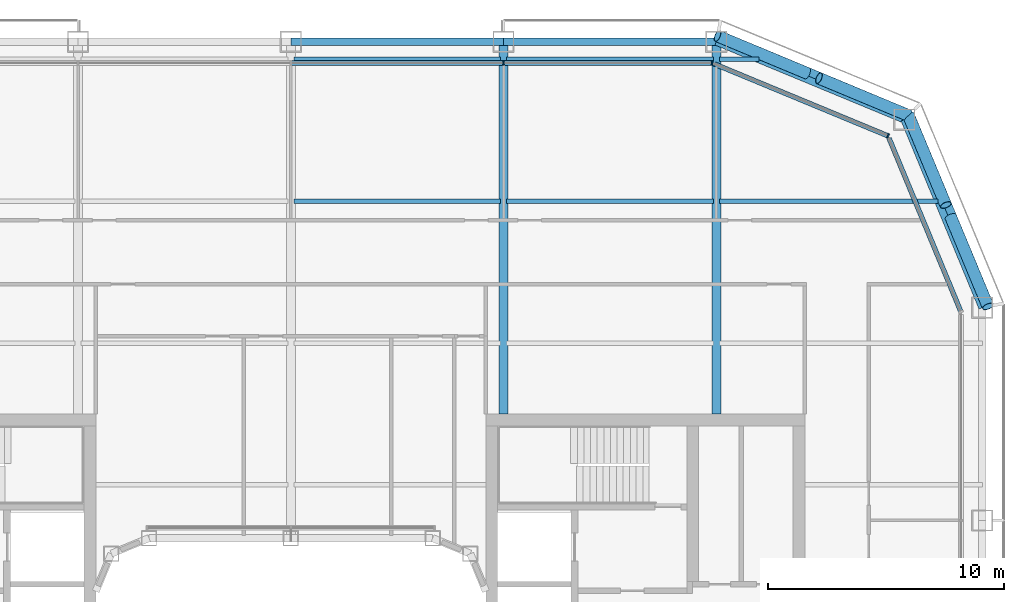
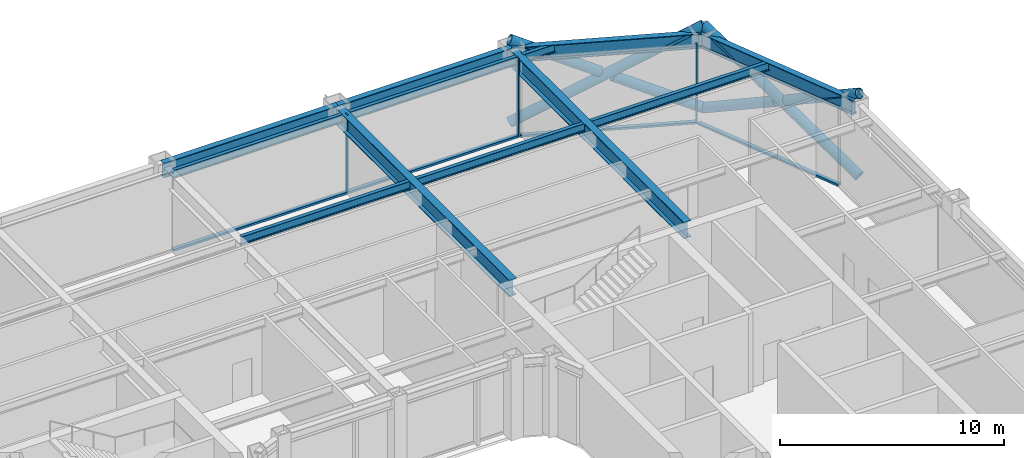
# One storey, part 9 of 21: 13 members, 12 beams, 3 elements without a shape of their own.
"""IFC4 building model written with IfcOpenShell, lengths in metres."""

from ifc_helpers import new_model, si_unit, direction, frame, origin, origin_2d, place, context, subcontext, project, spatial, rectangle, hollow_circle, i_section, extrude, material, layer, layer_set, material_profile, profile_set, type_object, element, aggregate, save


model = new_model("IFC4")

# Units and contexts
model_context = context("Model", 3, precision=1e-05, world=origin(), true_north=direction((0.0, 1.0)))
body_context = subcontext(model_context, "Body", "Model", "MODEL_VIEW")
ifc_project = project(units=[si_unit("LENGTHUNIT", "METRE"), si_unit("AREAUNIT", "SQUARE_METRE"), si_unit("VOLUMEUNIT", "CUBIC_METRE"), si_unit("PLANEANGLEUNIT", "RADIAN"), si_unit("MASSUNIT", "GRAM", prefix="KILO")], contexts=[model_context])

# Site, building, storey
site_placement = place(None, origin())
site = spatial("IfcSite", under=ifc_project, at=site_placement, CompositionType="ELEMENT")
building_placement = place(site_placement, origin())
building = spatial("IfcBuilding", under=site, at=building_placement, Name="Siwar Civic Tower", CompositionType="ELEMENT")
storey_placement = place(building_placement, frame((0.0, 0.0, 176.699951171875)))
storey = spatial("IfcBuildingStorey", under=building, at=storey_placement, Name="L38", CompositionType="ELEMENT", Elevation=176.699951171875)

# Curtain wall, member
ifc_material_1 = material(Name="Aluminium clad insulated panel", Category="aluminium")
ifc_layer_1 = layer(ifc_material_1, 0.199951171875)
ifc_layer_set_1 = layer_set([ifc_layer_1], Name="Aluminium clad insulated panel")
curtain_wall_type_1 = type_object("IfcCurtainWallType", Name="ENV-CW-BX", PredefinedType="NOTDEFINED", material=ifc_layer_set_1)
curtain_wall_1_placement = place(storey_placement, origin())
curtain_wall_1 = element("IfcCurtainWall", 1, at=curtain_wall_1_placement, inside=storey, type_object=curtain_wall_type_1, Name="Curtain wall B NE2", PredefinedType="NOTDEFINED")
ifc_material_2 = material(Name="Aluminium 6063-T6", Category="aluminium")
ifc_material_profile_1 = material_profile(ifc_material_2, rectangle(XDim=0.199951171875, YDim=0.06494140625, at=origin_2d()), Name="AL 200x65")
ifc_profile_set_1 = profile_set([ifc_material_profile_1], Name="Aluminium 6063-T6")
member_type_1 = type_object("IfcMemberType", Name="ENV-MULLION-B", PredefinedType="MULLION", material=ifc_profile_set_1)
member_1_placement = place(storey_placement, frame((25.26611328125, 25.26611328125, 0.0), z_axis=(0.0, 0.0, 1.0), x_axis=(-0.382683432365, -0.923879532511, 0.0)))
member_1 = element("IfcMember", 2, at=member_1_placement, type_object=member_type_1, Name="Mullion B NE2 1", PredefinedType="MULLION", context=body_context, shape_type="SweptSolid", body=[
    extrude(rectangle(XDim=0.199951171875, YDim=0.06494140625, at=origin_2d()), origin(), (0.0, 0.0, 1.0), 4.300048828125),
])

# Curtain wall, members
ifc_material_3 = material(Name="Aluminium and glass", Category="aluminium")
ifc_layer_2 = layer(ifc_material_3, 0.199951171875)
ifc_layer_set_2 = layer_set([ifc_layer_2], Name="Aluminium and glass")
curtain_wall_type_2 = type_object("IfcCurtainWallType", Name="ENV-CW-B", PredefinedType="NOTDEFINED", material=ifc_layer_set_2)
curtain_wall_2_placement = place(storey_placement, origin())
curtain_wall_2 = element("IfcCurtainWall", 3, at=curtain_wall_2_placement, inside=storey, type_object=curtain_wall_type_2, Name="Curtain wall B N", PredefinedType="NOTDEFINED")
member_2_placement = place(storey_placement, frame((17.821044921875, 28.35009765625, 0.0), z_axis=(0.0, 0.0, 1.0), x_axis=(0.0, -1.0, 0.0)))
member_2 = element("IfcMember", 4, at=member_2_placement, type_object=member_type_1, Name="Mullion B N 1", PredefinedType="MULLION", context=body_context, shape_type="SweptSolid", body=[
    extrude(rectangle(XDim=0.199951171875, YDim=0.06494140625, at=origin_2d()), origin(), (0.0, 0.0, 1.0), 4.300048828125),
])
member_3_placement = place(storey_placement, frame((9.0, 28.35009765625, 0.0), z_axis=(0.0, 0.0, 1.0), x_axis=(0.0, -1.0, 0.0)))
member_3 = element("IfcMember", 5, at=member_3_placement, type_object=member_type_1, Name="Mullion B N 2", PredefinedType="MULLION", context=body_context, shape_type="SweptSolid", body=[
    extrude(rectangle(XDim=0.199951171875, YDim=0.06494140625, at=origin_2d()), origin(), (0.0, 0.0, 1.0), 4.300048828125),
])

# Curtain wall, member
curtain_wall_3_placement = place(storey_placement, origin())
curtain_wall_3 = element("IfcCurtainWall", 6, at=curtain_wall_3_placement, inside=storey, type_object=curtain_wall_type_1, Name="Curtain wall B NE1", PredefinedType="NOTDEFINED")
ifc_material_4 = material(Name="Aluminium 6063-T6", Category="aluminium")
ifc_material_profile_2 = material_profile(ifc_material_4, rectangle(XDim=0.199951171875, YDim=0.110107421875, at=origin_2d()), Name="AL 200x110")
ifc_profile_set_2 = profile_set([ifc_material_profile_2], Name="Aluminium 6063-T6")
member_type_2 = type_object("IfcMemberType", Name="ENV-TRANSOM-B", PredefinedType="USERDEFINED", material=ifc_profile_set_2)
member_4_placement = place(storey_placement, frame((28.337646484375, 17.85107421875, 0.054931640625), z_axis=(-0.382699695651, 0.92387279587, 0.0), x_axis=(-0.92387279587, -0.382699695651, 0.0)))
member_4 = element("IfcMember", 7, at=member_4_placement, type_object=member_type_2, Name="Transom B NE1 1", ObjectType="TRANSOM", PredefinedType="USERDEFINED", context=body_context, shape_type="SweptSolid", body=[
    extrude(rectangle(XDim=0.199951171875, YDim=0.110107421875, at=origin_2d()), origin(), (0.0, 0.0, 1.0), 7.912353515625),
])
aggregate(curtain_wall_3, [member_4])

# Member
member_5_placement = place(storey_placement, frame((25.236083984375, 25.278564453125, 0.054931640625), z_axis=(-0.923883705044, 0.382673358825, 0.0), x_axis=(-0.382673358825, -0.923883705044, 0.0)))
member_5 = element("IfcMember", 8, at=member_5_placement, type_object=member_type_2, Name="Transom B NE2 1", ObjectType="TRANSOM", PredefinedType="USERDEFINED", context=body_context, shape_type="SweptSolid", body=[
    extrude(rectangle(XDim=0.199951171875, YDim=0.110107421875, at=origin_2d()), origin(), (0.0, 0.0, 1.0), 7.912353515625),
])

aggregate(curtain_wall_1, [member_1, member_5])

member_6_placement = place(storey_placement, frame((17.78857421875, 28.35009765625, 0.054931640625), z_axis=(-1.0, 0.0, 0.0), x_axis=(0.0, -1.0, 0.0)))
member_6 = element("IfcMember", 9, at=member_6_placement, type_object=member_type_2, Name="Transom B N 1", ObjectType="TRANSOM", PredefinedType="USERDEFINED", context=body_context, shape_type="SweptSolid", body=[
    extrude(rectangle(XDim=0.199951171875, YDim=0.110107421875, at=origin_2d()), origin(), (0.0, 0.0, 1.0), 8.756103515625),
])

member_7_placement = place(storey_placement, frame((8.967529296875, 28.35009765625, 0.054931640625), z_axis=(-1.0, 0.0, 0.0), x_axis=(0.0, -1.0, 0.0)))
member_7 = element("IfcMember", 10, at=member_7_placement, type_object=member_type_2, Name="Transom B N 2", ObjectType="TRANSOM", PredefinedType="USERDEFINED", context=body_context, shape_type="SweptSolid", body=[
    extrude(rectangle(XDim=0.199951171875, YDim=0.110107421875, at=origin_2d()), origin(), (0.0, 0.0, 1.0), 8.93505859375),
])

aggregate(curtain_wall_2, [member_2, member_3, member_6, member_7])

# Members
ifc_material_5 = material(Name="Steel S355", Category="steel")
ifc_material_profile_3 = material_profile(ifc_material_5, hollow_circle(Radius=0.25390625, WallThickness=0.02490234375, at=origin_2d()), Name="CHS508x25")
ifc_profile_set_3 = profile_set([ifc_material_profile_3], Name="Steel S355")
member_type_3 = type_object("IfcMemberType", Name="STR-BR-CHS508x25", PredefinedType="BRACE", material=ifc_profile_set_3)
member_8_placement = place(storey_placement, frame((18.048828125, 29.4951171875, 0.0), z_axis=(0.821142553604, -0.341671493852, 0.457149315816), x_axis=(0.384163874976, 0.923264922524, 0.0)))
element("IfcMember", 11, at=member_8_placement, inside=storey, type_object=member_type_3, Name="L38/brc/BNE1-17-0-1", PredefinedType="BRACE", context=body_context, shape_type="SweptSolid", body=[
    extrude(hollow_circle(Radius=0.25390625, WallThickness=0.02490234375, at=origin_2d()), origin(), (0.0, 0.0, 1.0), 9.843505859375),
])
member_9_placement = place(storey_placement, frame((26.1318359375, 26.1318359375, 0.0), z_axis=(-0.821143275065, 0.341662474736, 0.457154760636), x_axis=(-0.384154943021, -0.923268638995, 0.0)))
element("IfcMember", 12, at=member_9_placement, inside=storey, type_object=member_type_3, Name="L38/brc/BNE1-17-0-2", PredefinedType="BRACE", context=body_context, shape_type="SweptSolid", body=[
    extrude(hollow_circle(Radius=0.25390625, WallThickness=0.02490234375, at=origin_2d()), origin(), (0.0, 0.0, 1.0), 4.61474609375),
])
member_10_placement = place(storey_placement, frame((21.837890625, 27.91845703125, 2.390625), z_axis=(-0.821145902409, 0.34168558233, 0.457132770413), x_axis=(-0.384176042158, -0.923259859753, 0.0)))
element("IfcMember", 13, at=member_10_placement, inside=storey, type_object=member_type_3, Name="L38/brc/BNE1-17-0-3", PredefinedType="BRACE", context=body_context, shape_type="SweptSolid", body=[
    extrude(hollow_circle(Radius=0.25390625, WallThickness=0.02490234375, at=origin_2d()), origin(), (0.0, 0.0, 1.0), 4.6142578125),
])
member_11_placement = place(storey_placement, frame((29.4951171875, 18.048828125, 0.0), z_axis=(-0.341671493852, 0.821142553604, 0.457149315816), x_axis=(-0.923264922524, -0.384163874976, 0.0)))
element("IfcMember", 14, at=member_11_placement, inside=storey, type_object=member_type_3, Name="L38/brc/BNE1-17-0-0", PredefinedType="BRACE", context=body_context, shape_type="SweptSolid", body=[
    extrude(hollow_circle(Radius=0.25390625, WallThickness=0.02490234375, at=origin_2d()), origin(), (0.0, 0.0, 1.0), 9.843505859375),
])
member_12_placement = place(storey_placement, frame((26.1318359375, 26.1318359375, 0.0), z_axis=(0.341662474736, -0.821143275065, 0.457154760636), x_axis=(0.923268638995, 0.384154943021, 0.0)))
element("IfcMember", 15, at=member_12_placement, inside=storey, type_object=member_type_3, Name="L38/brc/BNE1-17-0-4", PredefinedType="BRACE", context=body_context, shape_type="SweptSolid", body=[
    extrude(hollow_circle(Radius=0.25390625, WallThickness=0.02490234375, at=origin_2d()), origin(), (0.0, 0.0, 1.0), 4.61474609375),
])
member_13_placement = place(storey_placement, frame((27.91845703125, 21.837890625, 2.390625), z_axis=(0.34168558233, -0.821145902409, 0.457132770413), x_axis=(0.923259859753, 0.384176042158, 0.0)))
element("IfcMember", 16, at=member_13_placement, inside=storey, type_object=member_type_3, Name="L38/brc/BNE1-17-0-5", PredefinedType="BRACE", context=body_context, shape_type="SweptSolid", body=[
    extrude(hollow_circle(Radius=0.25390625, WallThickness=0.02490234375, at=origin_2d()), origin(), (0.0, 0.0, 1.0), 4.6142578125),
])

# Beams
ifc_material_6 = material(Name="Steel S355", Category="steel")
ifc_material_profile_4 = material_profile(ifc_material_6, i_section(OverallWidth=0.18994140625, OverallDepth=0.449951171875, WebThickness=0.009521484375, FlangeThickness=0.0146484375, FilletRadius=0.02099609375, at=origin_2d()), Name="IPE450")
ifc_profile_set_4 = profile_set([ifc_material_profile_4], Name="Steel S355")
beam_type_1 = type_object("IfcBeamType", Name="STR-FB-IPE450", PredefinedType="JOIST", material=ifc_profile_set_4)
for number, where, z_axis, x_axis, name in (
    (17, (0.1298828125, 22.5, 4.074951171875), (1.0, 0.0, 0.0), (0.0, 1.0, 0.0), "L38/bm/F040"),
    (18, (9.1298828125, 22.5, 4.074951171875), (1.0, 0.0, 0.0), (0.0, 1.0, 0.0), "L38/bm/F041"),
):
    element("IfcBeam", number, at=place(storey_placement, frame(where, z_axis=z_axis, x_axis=x_axis)), inside=storey, type_object=beam_type_1, Name=name, PredefinedType="JOIST", context=body_context, shape_type="SweptSolid", body=[
        extrude(i_section(OverallWidth=0.18994140625, OverallDepth=0.449951171875, WebThickness=0.009521484375, FlangeThickness=0.0146484375, FilletRadius=0.02099609375, at=origin_2d()), origin(), (0.0, 0.0, 1.0), 8.740234375),
    ])
beam_1_placement = place(storey_placement, frame((18.1298828125, 22.5, 4.074951171875), z_axis=(1.0, 0.0, 0.0), x_axis=(0.0, 1.0, 0.0)))
element("IfcBeam", 19, at=beam_1_placement, inside=storey, type_object=beam_type_1, Name="L38/bm/F042", PredefinedType="JOIST", context=body_context, shape_type="SweptSolid", body=[
    extrude(i_section(OverallWidth=0.18994140625, OverallDepth=0.449951171875, WebThickness=0.009521484375, FlangeThickness=0.0146484375, FilletRadius=0.02099609375, at=origin_2d()), origin(), (0.0, 0.0, 1.0), 9.256103515625),
])
for number, where, z_axis, x_axis, name in (
    (20, (0.1298828125, 28.5, 4.074951171875), (1.0, 0.0, 0.0), (0.0, 1.0, 0.0), "L38/bm/F046"),
    (21, (9.1298828125, 28.5, 4.074951171875), (1.0, 0.0, 0.0), (0.0, 1.0, 0.0), "L38/bm/F047"),
):
    element("IfcBeam", number, at=place(storey_placement, frame(where, z_axis=z_axis, x_axis=x_axis)), inside=storey, type_object=beam_type_1, Name=name, PredefinedType="JOIST", context=body_context, shape_type="SweptSolid", body=[
        extrude(i_section(OverallWidth=0.18994140625, OverallDepth=0.449951171875, WebThickness=0.009521484375, FlangeThickness=0.0146484375, FilletRadius=0.02099609375, at=origin_2d()), origin(), (0.0, 0.0, 1.0), 8.740234375),
    ])
beam_2_placement = place(storey_placement, frame((18.1298828125, 28.5, 4.074951171875), z_axis=(1.0, 0.0, 0.0), x_axis=(0.0, 1.0, 0.0)))
element("IfcBeam", 22, at=beam_2_placement, inside=storey, type_object=beam_type_1, Name="L38/bm/F048", PredefinedType="JOIST", context=body_context, shape_type="SweptSolid", body=[
    extrude(i_section(OverallWidth=0.18994140625, OverallDepth=0.449951171875, WebThickness=0.009521484375, FlangeThickness=0.0146484375, FilletRadius=0.02099609375, at=origin_2d()), origin(), (0.0, 0.0, 1.0), 1.6806640625),
])
ifc_material_7 = material(Name="Steel S355", Category="steel")
ifc_material_profile_5 = material_profile(ifc_material_7, i_section(OverallWidth=0.3798828125, OverallDepth=0.89990234375, WebThickness=0.01611328125, FlangeThickness=0.035888671875, at=origin_2d()), Name="PG900x380x16x36")
ifc_profile_set_5 = profile_set([ifc_material_profile_5], Name="Steel S355")
beam_type_2 = type_object("IfcBeamType", Name="STR-PG-PG900x380x16x36", PredefinedType="BEAM", material=ifc_profile_set_5)
for number, where, z_axis, x_axis, name in (
    (23, (9.0, 13.5, 3.85009765625), (0.0, 1.0, 0.0), (-1.0, 0.0, 0.0), "L38/bm/G08"),
    (24, (18.0, 13.5, 3.85009765625), (0.0, 1.0, 0.0), (-1.0, 0.0, 0.0), "L38/bm/G10"),
):
    element("IfcBeam", number, at=place(storey_placement, frame(where, z_axis=z_axis, x_axis=x_axis)), inside=storey, type_object=beam_type_2, Name=name, PredefinedType="BEAM", context=body_context, shape_type="SweptSolid", body=[
        extrude(i_section(OverallWidth=0.3798828125, OverallDepth=0.89990234375, WebThickness=0.01611328125, FlangeThickness=0.035888671875, at=origin_2d()), origin(), (0.0, 0.0, 1.0), 15.75),
    ])
ifc_material_8 = material(Name="Steel S355", Category="steel")
ifc_material_profile_6 = material_profile(ifc_material_8, i_section(OverallWidth=0.300048828125, OverallDepth=0.800048828125, WebThickness=0.017578125, FlangeThickness=0.032958984375, FilletRadius=0.030029296875, at=origin_2d()), Name="HEB800")
ifc_profile_set_6 = profile_set([ifc_material_profile_6], Name="Steel S355")
beam_type_3 = type_object("IfcBeamType", Name="STR-SB-HEB800", PredefinedType="BEAM", material=ifc_profile_set_6)
for number, where, z_axis, x_axis, name in (
    (25, (29.25, 18.0, 3.900146484375), (-0.382699877515, 0.923872720536, 0.0), (-0.923872720536, -0.382699877515, 0.0), "L38/bm/SNE1-0"),
    (26, (25.954833984375, 25.954833984375, 3.900146484375), (-0.923872720536, 0.382699877515, 0.0), (-0.382699877515, -0.923872720536, 0.0), "L38/bm/SNE2-0"),
):
    element("IfcBeam", number, at=place(storey_placement, frame(where, z_axis=z_axis, x_axis=x_axis)), inside=storey, type_object=beam_type_3, Name=name, PredefinedType="BEAM", context=body_context, shape_type="SweptSolid", body=[
        extrude(i_section(OverallWidth=0.300048828125, OverallDepth=0.800048828125, WebThickness=0.017578125, FlangeThickness=0.032958984375, FilletRadius=0.030029296875, at=origin_2d()), origin(), (0.0, 0.0, 1.0), 8.6103515625),
    ])
for number, where, z_axis, x_axis, name in (
    (27, (18.0, 29.25, 3.900146484375), (-1.0, 0.0, 0.0), (0.0, -1.0, 0.0), "L38/bm/SN-0"),
    (28, (9.0, 29.25, 3.900146484375), (-1.0, 0.0, 0.0), (0.0, -1.0, 0.0), "L38/bm/SN-1"),
):
    element("IfcBeam", number, at=place(storey_placement, frame(where, z_axis=z_axis, x_axis=x_axis)), inside=storey, type_object=beam_type_3, Name=name, PredefinedType="BEAM", context=body_context, shape_type="SweptSolid", body=[
        extrude(i_section(OverallWidth=0.300048828125, OverallDepth=0.800048828125, WebThickness=0.017578125, FlangeThickness=0.032958984375, FilletRadius=0.030029296875, at=origin_2d()), origin(), (0.0, 0.0, 1.0), 9.0),
    ])

save(model, "model.ifc")
